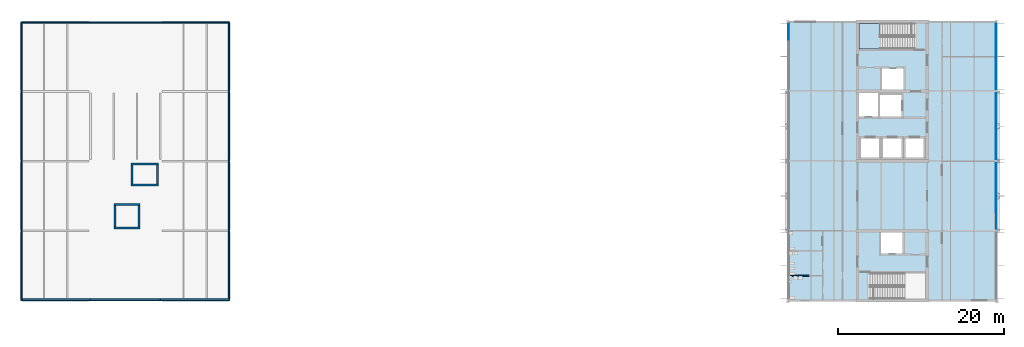
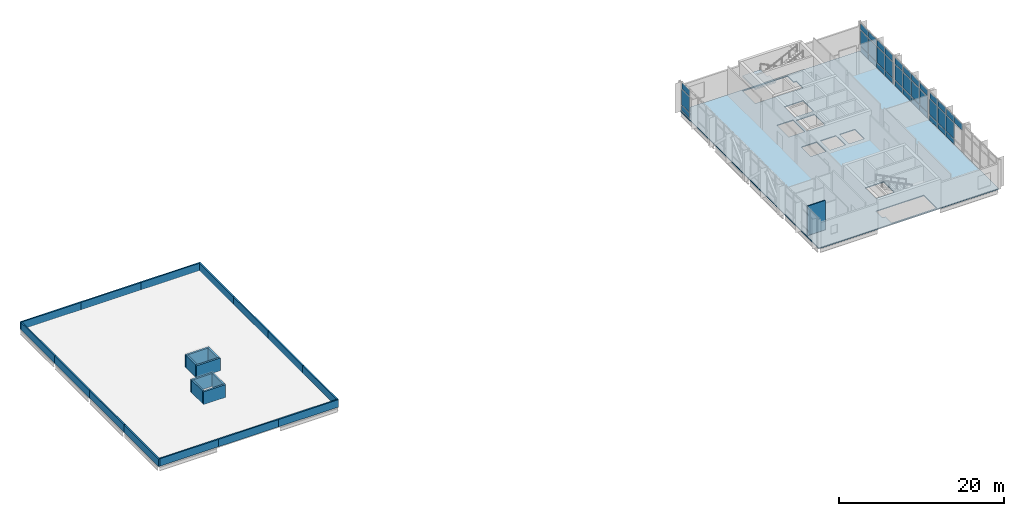
# One storey, part 8 of 14: 37 plates, 23 walls, 2 slabs, 5 elements without a shape of their own.
"""IFC4 building model written with IfcOpenShell, lengths in metres."""

import ifcopenshell
import ifcopenshell.guid

model = None  # the IFC model being written
_history = None  # IfcOwnerHistory: only IFC2X3 demands one
_inside = {}  # id of a spatial element -> (the spatial element, [elements in it])
_under = {}  # id of a project, library or spatial element -> (it, [spatial elements below it])
_declared = {}  # id of a project -> (the project, [libraries it declares])
_typed = {}  # id of a type object -> (the type object, [elements of that type])
_made_of = {}  # id of a material, layer set ... -> (it, [elements and type objects made of it])


def new_model(schema):
    """Start an empty IFC model of exactly this schema.

    Asked for "IFC4X3", IfcOpenShell would pick the latest addendum, in which some entities
    have other attributes; the version numbers below select the first issue.
    IFC2X3 requires an IfcOwnerHistory on every rooted entity: one is made here for all.
    """
    global model, _history
    if schema == "IFC4X3":
        model = ifcopenshell.file(schema_version=(4, 3, 0, 0))
    else:
        model = ifcopenshell.file(schema=schema)
    _inside.clear()
    _under.clear()
    _declared.clear()
    _typed.clear()
    _made_of.clear()
    _history = None
    if model.schema == "IFC2X3":
        org = make("IfcOrganization", Name="unknown")
        user = make(
            "IfcPersonAndOrganization",
            ThePerson=make("IfcPerson", FamilyName="unknown"),
            TheOrganization=org,
        )
        app = make(
            "IfcApplication",
            ApplicationDeveloper=org,
            Version="unknown",
            ApplicationFullName="unknown",
            ApplicationIdentifier="unknown",
        )
        _history = make(
            "IfcOwnerHistory",
            OwningUser=user,
            OwningApplication=app,
            ChangeAction="ADDED",
            CreationDate=0,
        )
    return model


def make(cls, **values):
    """One entity of the class cls with the attributes given. An attribute that is None is left unset."""
    return model.create_entity(
        cls, **{name: value for name, value in values.items() if value is not None}
    )


def rooted(cls, **values):
    """An entity with a GlobalId (a new one), such as an element, a storey or a relation."""
    return make(cls, GlobalId=ifcopenshell.guid.new(), OwnerHistory=_history, **values)


def si_unit(unit_type, name, prefix=None):
    """IfcSIUnit, for example si_unit("LENGTHUNIT", "METRE", prefix="MILLI")."""
    return make("IfcSIUnit", UnitType=unit_type, Prefix=prefix, Name=name)


def assignment(units):
    """IfcUnitAssignment: the units of a project."""
    return None if units is None else make("IfcUnitAssignment", Units=units)


def point(xyz):
    """IfcCartesianPoint."""
    return None if xyz is None else make("IfcCartesianPoint", Coordinates=xyz)


def direction(xyz):
    """IfcDirection."""
    return None if xyz is None else make("IfcDirection", DirectionRatios=xyz)


def frame(location, z_axis=None, x_axis=None):
    """IfcAxis2Placement3D, a coordinate frame: its origin and axes. An axis left out is left unset."""
    return make(
        "IfcAxis2Placement3D",
        Location=point(location),
        Axis=direction(z_axis),
        RefDirection=direction(x_axis),
    )


def frame_2d(location, x_axis=None):
    """IfcAxis2Placement2D, a coordinate frame in the plane: its origin and x axis."""
    return make(
        "IfcAxis2Placement2D", Location=point(location), RefDirection=direction(x_axis)
    )


def origin():
    """The frame at (0, 0, 0) with its axes left unset."""
    return frame((0.0, 0.0, 0.0))


def origin_2d():
    """The frame at (0, 0) in the plane with its x axis left unset."""
    return frame_2d((0.0, 0.0))


def place(relative_to, where):
    """IfcLocalPlacement: puts the frame where relative to a parent placement (None: the world)."""
    return make(
        "IfcLocalPlacement", PlacementRelTo=relative_to, RelativePlacement=where
    )


def context(
    kind, dimensions, precision=None, world=None, true_north=None, identifier=None
):
    """IfcGeometricRepresentationContext, for example the 3D "Model" context."""
    return make(
        "IfcGeometricRepresentationContext",
        ContextIdentifier=identifier,
        ContextType=kind,
        CoordinateSpaceDimension=dimensions,
        Precision=precision,
        WorldCoordinateSystem=world,
        TrueNorth=true_north,
    )


def subcontext(parent, identifier, kind, view, scale=None):
    """IfcGeometricRepresentationSubContext, for example "Body" below "Model"."""
    return make(
        "IfcGeometricRepresentationSubContext",
        ContextIdentifier=identifier,
        ContextType=kind,
        ParentContext=parent,
        TargetScale=scale,
        TargetView=view,
    )


def project(units=None, contexts=None):
    """IfcProject with its units and contexts."""
    return rooted(
        "IfcProject",
        Name="project",
        RepresentationContexts=contexts,
        UnitsInContext=assignment(units),
    )


def spatial(cls, under=None, at=None, **own):
    """A site, building, storey or space (cls), placed at a placement, below another one or the project."""
    s = rooted(cls, ObjectPlacement=at, **own)
    if under is not None:
        _under.setdefault(under.id(), (under, []))[1].append(s)
    return s


def polyline(points):
    """IfcPolyline through the points."""
    return make("IfcPolyline", Points=[point(p) for p in points])


def profile(cls, at=None, kind="AREA", **sizes):
    """A parametric profile (cls). Its sizes go by their IFC names, for example OverallWidth=200.0."""
    return make(cls, ProfileType=kind, Position=at, **sizes)


def rectangle(**sizes):
    """IfcRectangleProfileDef."""
    return profile("IfcRectangleProfileDef", **sizes)


def outline(outer, holes=None, kind="AREA"):
    """IfcArbitraryClosedProfileDef: a profile drawn as a closed curve; with holes, ...WithVoids."""
    if holes is None:
        return make("IfcArbitraryClosedProfileDef", ProfileType=kind, OuterCurve=outer)
    return make(
        "IfcArbitraryProfileDefWithVoids",
        ProfileType=kind,
        OuterCurve=outer,
        InnerCurves=holes,
    )


def extrude(swept, where, along, depth):
    """IfcExtrudedAreaSolid: the profile swept, set in the frame where, extruded along a direction by depth."""
    return make(
        "IfcExtrudedAreaSolid",
        SweptArea=swept,
        Position=where,
        ExtrudedDirection=direction(along),
        Depth=depth,
    )


def shape(context_of_items, identifier, shape_type, items):
    """IfcShapeRepresentation: the items that make up one representation, for example the "Body"."""
    return make(
        "IfcShapeRepresentation",
        ContextOfItems=context_of_items,
        RepresentationIdentifier=identifier,
        RepresentationType=shape_type,
        Items=items,
    )


def material(Name=None, Category=None):
    """IfcMaterial."""
    return make("IfcMaterial", Name=Name, Category=Category)


def layer(
    of_material, thickness, ventilated=None, Name=None, Category=None, Priority=None
):
    """IfcMaterialLayer: one layer of a wall or slab, of a material (None: an air gap)."""
    return make(
        "IfcMaterialLayer",
        Material=of_material,
        LayerThickness=thickness,
        IsVentilated=ventilated,
        Name=Name,
        Category=Category,
        Priority=Priority,
    )


def layer_set(layers, Name=None):
    """IfcMaterialLayerSet."""
    return make("IfcMaterialLayerSet", MaterialLayers=layers, LayerSetName=Name)


def made_of(thing, what):
    """Note that an element or type object is made of a material, layer set ...; save() writes the relation."""
    if what is not None:
        _made_of.setdefault(what.id(), (what, []))[1].append(thing)
    return thing


def type_object(cls, material=None, **own):
    """A type object (cls), such as IfcWallType, which elements share."""
    return made_of(rooted(cls, **own), material)


def element(
    cls,
    number,
    at=None,
    inside=None,
    cuts=None,
    type_object=None,
    material=None,
    context=None,
    identifier="Body",
    shape_type=None,
    held_by="IfcProductDefinitionShape",
    body=None,
    shapes=None,
    **own,
):
    """One element of the class cls, such as IfcWall. Its Tag is "e" and its number.

    at: its placement. inside: the storey or other place that contains it. cuts: it is an
    opening in that element (IfcRelVoidsElement). A single representation is given by context,
    identifier, shape_type and body (its items); several are given by shapes. held_by: the class
    of the entity that holds the representations. save() writes the other relations.
    """
    e = rooted(cls, Tag="e%d" % number, ObjectPlacement=at, **own)
    if body is not None:
        shapes = [shape(context, identifier, shape_type, body)]
    if shapes is not None:
        e.Representation = make(held_by, Representations=shapes)
    if inside is not None:
        _inside.setdefault(inside.id(), (inside, []))[1].append(e)
    if cuts is not None:
        rooted(
            "IfcRelVoidsElement", RelatingBuildingElement=cuts, RelatedOpeningElement=e
        )
    if type_object is not None:
        _typed.setdefault(type_object.id(), (type_object, []))[1].append(e)
    return made_of(e, material)


def aggregate(whole, parts):
    """IfcRelAggregates: a whole, such as a stair, and the parts it consists of."""
    return rooted("IfcRelAggregates", RelatingObject=whole, RelatedObjects=parts)


def save(model, path):
    """Write the relations noted so far, then the file.

    IfcRelAggregates (storeys below a building ...), IfcRelContainedInSpatialStructure (elements
    in a storey), IfcRelDefinesByType, IfcRelAssociatesMaterial and IfcRelDeclares: one each for
    every whole, place, type object, material and project.
    """
    for whole, parts in _under.values():
        aggregate(whole, parts)
    for where, things in _inside.values():
        rooted(
            "IfcRelContainedInSpatialStructure",
            RelatedElements=things,
            RelatingStructure=where,
        )
    for kind, things in _typed.values():
        rooted("IfcRelDefinesByType", RelatedObjects=things, RelatingType=kind)
    for what, things in _made_of.values():
        rooted("IfcRelAssociatesMaterial", RelatedObjects=things, RelatingMaterial=what)
    for by, libraries in _declared.values():
        rooted("IfcRelDeclares", RelatingContext=by, RelatedDefinitions=libraries)
    model.write(path)


model = new_model("IFC4")

# Units and contexts
model_context = context("Model", 3, precision=1e-05, world=origin(), true_north=direction((0.0, 1.0)))
body_context = subcontext(model_context, "Body", "Model", "MODEL_VIEW")
ifc_project = project(units=[si_unit("LENGTHUNIT", "METRE"), si_unit("AREAUNIT", "SQUARE_METRE"), si_unit("VOLUMEUNIT", "CUBIC_METRE"), si_unit("PLANEANGLEUNIT", "RADIAN"), si_unit("MASSUNIT", "GRAM", prefix="KILO")], contexts=[model_context])

# Site, building, storey
site_placement = place(None, origin())
site = spatial("IfcSite", under=ifc_project, at=site_placement, CompositionType="ELEMENT")
building_placement = place(site_placement, origin())
building = spatial("IfcBuilding", under=site, at=building_placement, Name="Hlaing Beacon Police Headquarters", CompositionType="ELEMENT")
storey_placement = place(building_placement, frame((0.0, 0.0, 27.89990234375)))
storey = spatial("IfcBuildingStorey", under=building, at=storey_placement, Name="L06", CompositionType="ELEMENT", Elevation=27.89990234375)

# Curtain wall, plates
ifc_material_1 = material(Name="Aluminium frame with solar control glazing", Category="aluminium")
curtain_wall_type = type_object("IfcCurtainWallType", Name="Unitised curtain wall 8.04 x 4.37", PredefinedType="NOTDEFINED", material=ifc_material_1)
curtain_wall_1_placement = place(storey_placement, origin())
curtain_wall_1 = element("IfcCurtainWall", 1, at=curtain_wall_1_placement, inside=storey, type_object=curtain_wall_type, Name="ENV-CW-L06-E002", PredefinedType="NOTDEFINED")
ifc_material_2 = material(Name="Solar control glazing", Category="glass")
ifc_layer_1 = layer(ifc_material_2, 0.0439453125)
ifc_layer_set_1 = layer_set([ifc_layer_1], Name="Solar control glazing")
plate_type_1 = type_object("IfcPlateType", Name="Clear glazing panel 44", PredefinedType="CURTAIN_PANEL", material=ifc_layer_set_1)
plate_1_placement = place(storey_placement, frame((125.909912109375, 45.1953125, 0.9501953125), z_axis=(0.0, 0.0, 1.0), x_axis=(0.0, 1.0, 0.0)))
plate_1 = element("IfcPlate", 2, at=plate_1_placement, type_object=plate_type_1, Name="CW-L06-E002 panel 2.2", PredefinedType="CURTAIN_PANEL", context=body_context, shape_type="SweptSolid", body=[
    extrude(rectangle(XDim=1.94921875, YDim=0.0439453125, at=origin_2d()), origin(), (0.0, 0.0, 1.0), 2.300048828125),
])
plate_2_placement = place(storey_placement, frame((125.909912109375, 49.19873046875, 0.9501953125), z_axis=(0.0, 0.0, 1.0), x_axis=(0.0, 1.0, 0.0)))
plate_2 = element("IfcPlate", 3, at=plate_2_placement, type_object=plate_type_1, Name="CW-L06-E002 panel 4.2", PredefinedType="CURTAIN_PANEL", context=body_context, shape_type="SweptSolid", body=[
    extrude(rectangle(XDim=1.919189453125, YDim=0.0439453125, at=origin_2d()), origin(), (0.0, 0.0, 1.0), 2.300048828125),
])

curtain_wall_2_placement = place(storey_placement, origin())
curtain_wall_2 = element("IfcCurtainWall", 4, at=curtain_wall_2_placement, inside=storey, type_object=curtain_wall_type, Name="ENV-CW-L06-E003", PredefinedType="NOTDEFINED")
plate_3_placement = place(storey_placement, frame((125.909912109375, 53.595458984375, 0.9501953125), z_axis=(0.0, 0.0, 1.0), x_axis=(0.0, 1.0, 0.0)))
plate_3 = element("IfcPlate", 5, at=plate_3_placement, type_object=plate_type_1, Name="CW-L06-E003 panel 2.2", PredefinedType="CURTAIN_PANEL", context=body_context, shape_type="SweptSolid", body=[
    extrude(rectangle(XDim=1.94921875, YDim=0.0439453125, at=origin_2d()), origin(), (0.0, 0.0, 1.0), 2.300048828125),
])
plate_4_placement = place(storey_placement, frame((125.909912109375, 57.598876953125, 0.9501953125), z_axis=(0.0, 0.0, 1.0), x_axis=(0.0, 1.0, 0.0)))
plate_4 = element("IfcPlate", 6, at=plate_4_placement, type_object=plate_type_1, Name="CW-L06-E003 panel 4.2", PredefinedType="CURTAIN_PANEL", context=body_context, shape_type="SweptSolid", body=[
    extrude(rectangle(XDim=1.919189453125, YDim=0.0439453125, at=origin_2d()), origin(), (0.0, 0.0, 1.0), 2.300048828125),
])

curtain_wall_3_placement = place(storey_placement, origin())
curtain_wall_3 = element("IfcCurtainWall", 7, at=curtain_wall_3_placement, inside=storey, type_object=curtain_wall_type, Name="ENV-CW-L06-E004", PredefinedType="NOTDEFINED")
plate_5_placement = place(storey_placement, frame((125.89990234375, 61.996826171875, 0.9501953125), z_axis=(0.0, 0.0, 1.0), x_axis=(0.0, 1.0, 0.0)))
plate_5 = element("IfcPlate", 8, at=plate_5_placement, type_object=plate_type_1, Name="CW-L06-E004 panel 2.2", PredefinedType="CURTAIN_PANEL", context=body_context, shape_type="SweptSolid", body=[
    extrude(rectangle(XDim=1.9501953125, YDim=0.0439453125, at=origin_2d()), origin(), (0.0, 0.0, 1.0), 2.300048828125),
])
plate_6_placement = place(storey_placement, frame((125.89990234375, 66.002197265625, 0.9501953125), z_axis=(0.0, 0.0, 1.0), x_axis=(0.0, 1.0, 0.0)))
plate_6 = element("IfcPlate", 9, at=plate_6_placement, type_object=plate_type_1, Name="CW-L06-E004 panel 4.2", PredefinedType="CURTAIN_PANEL", context=body_context, shape_type="SweptSolid", body=[
    extrude(rectangle(XDim=1.920166015625, YDim=0.0439453125, at=origin_2d()), origin(), (0.0, 0.0, 1.0), 2.300048828125),
])

# Slab
ifc_material_3 = material(Name="Concrete C40/50", Category="concrete")
ifc_layer_2 = layer(ifc_material_3, 0.1298828125)
ifc_layer_set_2 = layer_set([ifc_layer_2], Name="Concrete C40/50")
slab_type_1 = type_object("IfcSlabType", Name="Composite deck slab 130", PredefinedType="FLOOR", material=ifc_layer_set_2)
slab_1_placement = place(storey_placement, frame((0.0, 0.0, -0.1298828125)))
element("IfcSlab", 10, at=slab_1_placement, inside=storey, type_object=slab_type_1, Name="STR-SLAB-L06-01", PredefinedType="FLOOR", context=body_context, shape_type="SweptSolid", body=[
    extrude(outline(polyline([(100.800048828125, 33.60009765625), (126.0, 33.60009765625), (126.0, 67.199951171875), (100.800048828125, 67.199951171875), (100.800048828125, 33.60009765625)]), holes=[polyline([(109.39990234375, 55.75), (111.64990234375, 55.75), (111.64990234375, 58.60009765625), (109.39990234375, 58.60009765625), (109.39990234375, 55.75)]), polyline([(109.39990234375, 63.89990234375), (116.090087890625, 63.89990234375), (116.090087890625, 65.5), (115.699951171875, 65.5), (115.699951171875, 67.0), (109.39990234375, 67.0), (109.39990234375, 63.89990234375)]), polyline([(109.64990234375, 50.85009765625), (111.800048828125, 50.85009765625), (111.800048828125, 53.14990234375), (109.64990234375, 53.14990234375), (109.64990234375, 50.85009765625)]), polyline([(111.10009765625, 33.800048828125), (117.39990234375, 33.800048828125), (117.39990234375, 36.89990234375), (110.7099609375, 36.89990234375), (110.7099609375, 35.300048828125), (111.10009765625, 35.300048828125), (111.10009765625, 33.800048828125)]), polyline([(111.89990234375, 55.75), (114.5, 55.75), (114.5, 58.35009765625), (111.89990234375, 58.35009765625), (111.89990234375, 55.75)]), polyline([(112.050048828125, 39.25), (114.64990234375, 39.25), (114.64990234375, 41.800048828125), (112.050048828125, 41.800048828125), (112.050048828125, 39.25)]), polyline([(112.14990234375, 59.0), (114.75, 59.0), (114.75, 61.550048828125), (112.14990234375, 61.550048828125), (112.14990234375, 59.0)]), polyline([(112.300048828125, 50.85009765625), (114.5, 50.85009765625), (114.5, 53.14990234375), (112.300048828125, 53.14990234375), (112.300048828125, 50.85009765625)]), polyline([(115.0, 50.85009765625), (117.14990234375, 50.85009765625), (117.14990234375, 53.14990234375), (115.0, 53.14990234375), (115.0, 50.85009765625)])]), origin(), (0.0, 0.0, 1.0), 0.1298828125),
])

# Plate
ifc_material_4 = material(Name="Fritted solar control glazing", Category="glass")
ifc_layer_3 = layer(ifc_material_4, 0.0439453125)
ifc_layer_set_3 = layer_set([ifc_layer_3], Name="Fritted solar control glazing")
plate_type_2 = type_object("IfcPlateType", Name="Fritted glazing panel 44", PredefinedType="CURTAIN_PANEL", material=ifc_layer_set_3)
plate_7_placement = place(storey_placement, frame((125.909912109375, 47.20458984375, 0.9501953125), z_axis=(0.0, 0.0, 1.0), x_axis=(0.0, 1.0, 0.0)))
plate_7 = element("IfcPlate", 11, at=plate_7_placement, type_object=plate_type_2, Name="CW-L06-E002 panel 3.2", PredefinedType="CURTAIN_PANEL", context=body_context, shape_type="SweptSolid", body=[
    extrude(rectangle(XDim=1.94921875, YDim=0.0439453125, at=origin_2d()), origin(), (0.0, 0.0, 1.0), 2.300048828125),
])

plate_8_placement = place(storey_placement, frame((125.909912109375, 51.601318359375, 0.9501953125), z_axis=(0.0, 0.0, 1.0), x_axis=(0.0, 1.0, 0.0)))
plate_8 = element("IfcPlate", 12, at=plate_8_placement, type_object=plate_type_2, Name="CW-L06-E003 panel 1.2", PredefinedType="CURTAIN_PANEL", context=body_context, shape_type="SweptSolid", body=[
    extrude(rectangle(XDim=1.919189453125, YDim=0.0439453125, at=origin_2d()), origin(), (0.0, 0.0, 1.0), 2.300048828125),
])

plate_9_placement = place(storey_placement, frame((125.909912109375, 55.6044921875, 0.9501953125), z_axis=(0.0, 0.0, 1.0), x_axis=(0.0, 1.0, 0.0)))
plate_9 = element("IfcPlate", 13, at=plate_9_placement, type_object=plate_type_2, Name="CW-L06-E003 panel 3.2", PredefinedType="CURTAIN_PANEL", context=body_context, shape_type="SweptSolid", body=[
    extrude(rectangle(XDim=1.94921875, YDim=0.0439453125, at=origin_2d()), origin(), (0.0, 0.0, 1.0), 2.300048828125),
])

plate_10_placement = place(storey_placement, frame((125.89990234375, 60.001708984375, 0.9501953125), z_axis=(0.0, 0.0, 1.0), x_axis=(0.0, 1.0, 0.0)))
plate_10 = element("IfcPlate", 14, at=plate_10_placement, type_object=plate_type_2, Name="CW-L06-E004 panel 1.2", PredefinedType="CURTAIN_PANEL", context=body_context, shape_type="SweptSolid", body=[
    extrude(rectangle(XDim=1.920166015625, YDim=0.0439453125, at=origin_2d()), origin(), (0.0, 0.0, 1.0), 2.300048828125),
])

plate_11_placement = place(storey_placement, frame((125.89990234375, 64.007080078125, 0.9501953125), z_axis=(0.0, 0.0, 1.0), x_axis=(0.0, 1.0, 0.0)))
plate_11 = element("IfcPlate", 15, at=plate_11_placement, type_object=plate_type_2, Name="CW-L06-E004 panel 3.2", PredefinedType="CURTAIN_PANEL", context=body_context, shape_type="SweptSolid", body=[
    extrude(rectangle(XDim=1.9501953125, YDim=0.0439453125, at=origin_2d()), origin(), (0.0, 0.0, 1.0), 2.300048828125),
])

# Curtain wall, plate
curtain_wall_4_placement = place(storey_placement, origin())
curtain_wall_4 = element("IfcCurtainWall", 16, at=curtain_wall_4_placement, inside=storey, type_object=curtain_wall_type, Name="ENV-CW-L06-W005", PredefinedType="NOTDEFINED")
plate_12_placement = place(storey_placement, frame((100.89990234375, 66.002197265625, 0.9501953125), z_axis=(0.0, 0.0, 1.0), x_axis=(0.0, -1.0, 0.0)))
plate_12 = element("IfcPlate", 17, at=plate_12_placement, type_object=plate_type_2, Name="CW-L06-W005 panel 1.2", PredefinedType="CURTAIN_PANEL", context=body_context, shape_type="SweptSolid", body=[
    extrude(rectangle(XDim=1.920166015625, YDim=0.0439453125, at=origin_2d()), origin(), (0.0, 0.0, 1.0), 2.300048828125),
])

# Plate
ifc_material_5 = material(Name="Insulated aluminium spandrel", Category="aluminium")
ifc_layer_4 = layer(ifc_material_5, 0.06005859375)
ifc_layer_set_4 = layer_set([ifc_layer_4], Name="Insulated aluminium spandrel")
plate_type_3 = type_object("IfcPlateType", Name="Insulated spandrel panel 60", PredefinedType="CURTAIN_PANEL", material=ifc_layer_set_4)
plate_13_placement = place(storey_placement, frame((125.909912109375, 45.1953125, 0.10009765625), z_axis=(0.0, 0.0, 1.0), x_axis=(0.0, 1.0, 0.0)))
plate_13 = element("IfcPlate", 18, at=plate_13_placement, type_object=plate_type_3, Name="CW-L06-E002 panel 2.1", PredefinedType="CURTAIN_PANEL", context=body_context, shape_type="SweptSolid", body=[
    extrude(rectangle(XDim=1.94921875, YDim=0.06005859375, at=origin_2d()), origin(), (0.0, 0.0, 1.0), 0.75),
])

plate_14_placement = place(storey_placement, frame((125.909912109375, 47.20458984375, 0.10009765625), z_axis=(0.0, 0.0, 1.0), x_axis=(0.0, 1.0, 0.0)))
plate_14 = element("IfcPlate", 19, at=plate_14_placement, type_object=plate_type_3, Name="CW-L06-E002 panel 3.1", PredefinedType="CURTAIN_PANEL", context=body_context, shape_type="SweptSolid", body=[
    extrude(rectangle(XDim=1.94921875, YDim=0.06005859375, at=origin_2d()), origin(), (0.0, 0.0, 1.0), 0.75),
])

plate_15_placement = place(storey_placement, frame((125.909912109375, 49.19873046875, 0.10009765625), z_axis=(0.0, 0.0, 1.0), x_axis=(0.0, 1.0, 0.0)))
plate_15 = element("IfcPlate", 20, at=plate_15_placement, type_object=plate_type_3, Name="CW-L06-E002 panel 4.1", PredefinedType="CURTAIN_PANEL", context=body_context, shape_type="SweptSolid", body=[
    extrude(rectangle(XDim=1.919189453125, YDim=0.06005859375, at=origin_2d()), origin(), (0.0, 0.0, 1.0), 0.75),
])

plate_16_placement = place(storey_placement, frame((125.909912109375, 51.601318359375, 0.10009765625), z_axis=(0.0, 0.0, 1.0), x_axis=(0.0, 1.0, 0.0)))
plate_16 = element("IfcPlate", 21, at=plate_16_placement, type_object=plate_type_3, Name="CW-L06-E003 panel 1.1", PredefinedType="CURTAIN_PANEL", context=body_context, shape_type="SweptSolid", body=[
    extrude(rectangle(XDim=1.919189453125, YDim=0.06005859375, at=origin_2d()), origin(), (0.0, 0.0, 1.0), 0.75),
])

plate_17_placement = place(storey_placement, frame((125.909912109375, 53.595458984375, 0.10009765625), z_axis=(0.0, 0.0, 1.0), x_axis=(0.0, 1.0, 0.0)))
plate_17 = element("IfcPlate", 22, at=plate_17_placement, type_object=plate_type_3, Name="CW-L06-E003 panel 2.1", PredefinedType="CURTAIN_PANEL", context=body_context, shape_type="SweptSolid", body=[
    extrude(rectangle(XDim=1.94921875, YDim=0.06005859375, at=origin_2d()), origin(), (0.0, 0.0, 1.0), 0.75),
])

plate_18_placement = place(storey_placement, frame((125.909912109375, 55.6044921875, 0.10009765625), z_axis=(0.0, 0.0, 1.0), x_axis=(0.0, 1.0, 0.0)))
plate_18 = element("IfcPlate", 23, at=plate_18_placement, type_object=plate_type_3, Name="CW-L06-E003 panel 3.1", PredefinedType="CURTAIN_PANEL", context=body_context, shape_type="SweptSolid", body=[
    extrude(rectangle(XDim=1.94921875, YDim=0.06005859375, at=origin_2d()), origin(), (0.0, 0.0, 1.0), 0.75),
])

plate_19_placement = place(storey_placement, frame((125.909912109375, 57.598876953125, 0.10009765625), z_axis=(0.0, 0.0, 1.0), x_axis=(0.0, 1.0, 0.0)))
plate_19 = element("IfcPlate", 24, at=plate_19_placement, type_object=plate_type_3, Name="CW-L06-E003 panel 4.1", PredefinedType="CURTAIN_PANEL", context=body_context, shape_type="SweptSolid", body=[
    extrude(rectangle(XDim=1.919189453125, YDim=0.06005859375, at=origin_2d()), origin(), (0.0, 0.0, 1.0), 0.75),
])

plate_20_placement = place(storey_placement, frame((125.89990234375, 60.001708984375, 0.10009765625), z_axis=(0.0, 0.0, 1.0), x_axis=(0.0, 1.0, 0.0)))
plate_20 = element("IfcPlate", 25, at=plate_20_placement, type_object=plate_type_3, Name="CW-L06-E004 panel 1.1", PredefinedType="CURTAIN_PANEL", context=body_context, shape_type="SweptSolid", body=[
    extrude(rectangle(XDim=1.920166015625, YDim=0.06005859375, at=origin_2d()), origin(), (0.0, 0.0, 1.0), 0.75),
])

plate_21_placement = place(storey_placement, frame((125.89990234375, 61.996826171875, 0.10009765625), z_axis=(0.0, 0.0, 1.0), x_axis=(0.0, 1.0, 0.0)))
plate_21 = element("IfcPlate", 26, at=plate_21_placement, type_object=plate_type_3, Name="CW-L06-E004 panel 2.1", PredefinedType="CURTAIN_PANEL", context=body_context, shape_type="SweptSolid", body=[
    extrude(rectangle(XDim=1.9501953125, YDim=0.06005859375, at=origin_2d()), origin(), (0.0, 0.0, 1.0), 0.75),
])

plate_22_placement = place(storey_placement, frame((125.89990234375, 64.007080078125, 0.10009765625), z_axis=(0.0, 0.0, 1.0), x_axis=(0.0, 1.0, 0.0)))
plate_22 = element("IfcPlate", 27, at=plate_22_placement, type_object=plate_type_3, Name="CW-L06-E004 panel 3.1", PredefinedType="CURTAIN_PANEL", context=body_context, shape_type="SweptSolid", body=[
    extrude(rectangle(XDim=1.9501953125, YDim=0.06005859375, at=origin_2d()), origin(), (0.0, 0.0, 1.0), 0.75),
])

plate_23_placement = place(storey_placement, frame((125.89990234375, 66.002197265625, 0.10009765625), z_axis=(0.0, 0.0, 1.0), x_axis=(0.0, 1.0, 0.0)))
plate_23 = element("IfcPlate", 28, at=plate_23_placement, type_object=plate_type_3, Name="CW-L06-E004 panel 4.1", PredefinedType="CURTAIN_PANEL", context=body_context, shape_type="SweptSolid", body=[
    extrude(rectangle(XDim=1.920166015625, YDim=0.06005859375, at=origin_2d()), origin(), (0.0, 0.0, 1.0), 0.75),
])

ifc_material_6 = material(Name="Insulated aluminium spandrel", Category="aluminium")
ifc_layer_5 = layer(ifc_material_6, 0.080078125)
ifc_layer_set_5 = layer_set([ifc_layer_5], Name="Insulated aluminium spandrel")
plate_type_4 = type_object("IfcPlateType", Name="Insulated spandrel panel 80", PredefinedType="CURTAIN_PANEL", material=ifc_layer_set_5)
plate_24_placement = place(storey_placement, frame((100.89990234375, 66.002197265625, 0.10009765625), z_axis=(0.0, 0.0, 1.0), x_axis=(0.0, -1.0, 0.0)))
plate_24 = element("IfcPlate", 29, at=plate_24_placement, type_object=plate_type_4, Name="CW-L06-W005 panel 1.1", PredefinedType="CURTAIN_PANEL", context=body_context, shape_type="SweptSolid", body=[
    extrude(rectangle(XDim=1.920166015625, YDim=0.080078125, at=origin_2d()), origin(), (0.0, 0.0, 1.0), 0.75),
])

ifc_material_7 = material(Name="Perforated aluminium", Category="aluminium")
ifc_layer_6 = layer(ifc_material_7, 0.00390625)
ifc_layer_set_6 = layer_set([ifc_layer_6], Name="Perforated aluminium")
plate_type_5 = type_object("IfcPlateType", Name="Perforated aluminium vent panel 4", PredefinedType="CURTAIN_PANEL", material=ifc_layer_set_6)
plate_25_placement = place(storey_placement, frame((125.909912109375, 43.201171875, 3.35009765625), z_axis=(0.0, 0.0, 1.0), x_axis=(0.0, 1.0, 0.0)))
plate_25 = element("IfcPlate", 30, at=plate_25_placement, type_object=plate_type_5, Name="CW-L06-E002 panel 1.3", PredefinedType="CURTAIN_PANEL", context=body_context, shape_type="SweptSolid", body=[
    extrude(rectangle(XDim=1.919189453125, YDim=0.00390625, at=origin_2d()), origin(), (0.0, 0.0, 1.0), 0.919921875),
])

plate_26_placement = place(storey_placement, frame((125.909912109375, 45.1953125, 3.35009765625), z_axis=(0.0, 0.0, 1.0), x_axis=(0.0, 1.0, 0.0)))
plate_26 = element("IfcPlate", 31, at=plate_26_placement, type_object=plate_type_5, Name="CW-L06-E002 panel 2.3", PredefinedType="CURTAIN_PANEL", context=body_context, shape_type="SweptSolid", body=[
    extrude(rectangle(XDim=1.94921875, YDim=0.00390625, at=origin_2d()), origin(), (0.0, 0.0, 1.0), 0.919921875),
])

plate_27_placement = place(storey_placement, frame((125.909912109375, 47.20458984375, 3.35009765625), z_axis=(0.0, 0.0, 1.0), x_axis=(0.0, 1.0, 0.0)))
plate_27 = element("IfcPlate", 32, at=plate_27_placement, type_object=plate_type_5, Name="CW-L06-E002 panel 3.3", PredefinedType="CURTAIN_PANEL", context=body_context, shape_type="SweptSolid", body=[
    extrude(rectangle(XDim=1.94921875, YDim=0.00390625, at=origin_2d()), origin(), (0.0, 0.0, 1.0), 0.919921875),
])

plate_28_placement = place(storey_placement, frame((125.909912109375, 49.19873046875, 3.35009765625), z_axis=(0.0, 0.0, 1.0), x_axis=(0.0, 1.0, 0.0)))
plate_28 = element("IfcPlate", 33, at=plate_28_placement, type_object=plate_type_5, Name="CW-L06-E002 panel 4.3", PredefinedType="CURTAIN_PANEL", context=body_context, shape_type="SweptSolid", body=[
    extrude(rectangle(XDim=1.919189453125, YDim=0.00390625, at=origin_2d()), origin(), (0.0, 0.0, 1.0), 0.919921875),
])

aggregate(curtain_wall_1, [plate_25, plate_13, plate_1, plate_26, plate_14, plate_7, plate_27, plate_15, plate_2, plate_28])

plate_29_placement = place(storey_placement, frame((125.909912109375, 51.601318359375, 3.35009765625), z_axis=(0.0, 0.0, 1.0), x_axis=(0.0, 1.0, 0.0)))
plate_29 = element("IfcPlate", 34, at=plate_29_placement, type_object=plate_type_5, Name="CW-L06-E003 panel 1.3", PredefinedType="CURTAIN_PANEL", context=body_context, shape_type="SweptSolid", body=[
    extrude(rectangle(XDim=1.919189453125, YDim=0.00390625, at=origin_2d()), origin(), (0.0, 0.0, 1.0), 0.919921875),
])

plate_30_placement = place(storey_placement, frame((125.909912109375, 53.595458984375, 3.35009765625), z_axis=(0.0, 0.0, 1.0), x_axis=(0.0, 1.0, 0.0)))
plate_30 = element("IfcPlate", 35, at=plate_30_placement, type_object=plate_type_5, Name="CW-L06-E003 panel 2.3", PredefinedType="CURTAIN_PANEL", context=body_context, shape_type="SweptSolid", body=[
    extrude(rectangle(XDim=1.94921875, YDim=0.00390625, at=origin_2d()), origin(), (0.0, 0.0, 1.0), 0.919921875),
])

plate_31_placement = place(storey_placement, frame((125.909912109375, 55.6044921875, 3.35009765625), z_axis=(0.0, 0.0, 1.0), x_axis=(0.0, 1.0, 0.0)))
plate_31 = element("IfcPlate", 36, at=plate_31_placement, type_object=plate_type_5, Name="CW-L06-E003 panel 3.3", PredefinedType="CURTAIN_PANEL", context=body_context, shape_type="SweptSolid", body=[
    extrude(rectangle(XDim=1.94921875, YDim=0.00390625, at=origin_2d()), origin(), (0.0, 0.0, 1.0), 0.919921875),
])

plate_32_placement = place(storey_placement, frame((125.909912109375, 57.598876953125, 3.35009765625), z_axis=(0.0, 0.0, 1.0), x_axis=(0.0, 1.0, 0.0)))
plate_32 = element("IfcPlate", 37, at=plate_32_placement, type_object=plate_type_5, Name="CW-L06-E003 panel 4.3", PredefinedType="CURTAIN_PANEL", context=body_context, shape_type="SweptSolid", body=[
    extrude(rectangle(XDim=1.919189453125, YDim=0.00390625, at=origin_2d()), origin(), (0.0, 0.0, 1.0), 0.919921875),
])

aggregate(curtain_wall_2, [plate_16, plate_8, plate_29, plate_17, plate_3, plate_30, plate_18, plate_9, plate_31, plate_19, plate_4, plate_32])

plate_33_placement = place(storey_placement, frame((125.89990234375, 60.001708984375, 3.35009765625), z_axis=(0.0, 0.0, 1.0), x_axis=(0.0, 1.0, 0.0)))
plate_33 = element("IfcPlate", 38, at=plate_33_placement, type_object=plate_type_5, Name="CW-L06-E004 panel 1.3", PredefinedType="CURTAIN_PANEL", context=body_context, shape_type="SweptSolid", body=[
    extrude(rectangle(XDim=1.920166015625, YDim=0.00390625, at=origin_2d()), origin(), (0.0, 0.0, 1.0), 0.919921875),
])

plate_34_placement = place(storey_placement, frame((125.89990234375, 61.996826171875, 3.35009765625), z_axis=(0.0, 0.0, 1.0), x_axis=(0.0, 1.0, 0.0)))
plate_34 = element("IfcPlate", 39, at=plate_34_placement, type_object=plate_type_5, Name="CW-L06-E004 panel 2.3", PredefinedType="CURTAIN_PANEL", context=body_context, shape_type="SweptSolid", body=[
    extrude(rectangle(XDim=1.9501953125, YDim=0.00390625, at=origin_2d()), origin(), (0.0, 0.0, 1.0), 0.919921875),
])

plate_35_placement = place(storey_placement, frame((125.89990234375, 64.007080078125, 3.35009765625), z_axis=(0.0, 0.0, 1.0), x_axis=(0.0, 1.0, 0.0)))
plate_35 = element("IfcPlate", 40, at=plate_35_placement, type_object=plate_type_5, Name="CW-L06-E004 panel 3.3", PredefinedType="CURTAIN_PANEL", context=body_context, shape_type="SweptSolid", body=[
    extrude(rectangle(XDim=1.9501953125, YDim=0.00390625, at=origin_2d()), origin(), (0.0, 0.0, 1.0), 0.919921875),
])

plate_36_placement = place(storey_placement, frame((125.89990234375, 66.002197265625, 3.35009765625), z_axis=(0.0, 0.0, 1.0), x_axis=(0.0, 1.0, 0.0)))
plate_36 = element("IfcPlate", 41, at=plate_36_placement, type_object=plate_type_5, Name="CW-L06-E004 panel 4.3", PredefinedType="CURTAIN_PANEL", context=body_context, shape_type="SweptSolid", body=[
    extrude(rectangle(XDim=1.920166015625, YDim=0.00390625, at=origin_2d()), origin(), (0.0, 0.0, 1.0), 0.919921875),
])

aggregate(curtain_wall_3, [plate_20, plate_10, plate_33, plate_21, plate_5, plate_34, plate_22, plate_11, plate_35, plate_23, plate_6, plate_36])

plate_37_placement = place(storey_placement, frame((100.89990234375, 66.002197265625, 3.35009765625), z_axis=(0.0, 0.0, 1.0), x_axis=(0.0, -1.0, 0.0)))
plate_37 = element("IfcPlate", 42, at=plate_37_placement, type_object=plate_type_5, Name="CW-L06-W005 panel 1.3", PredefinedType="CURTAIN_PANEL", context=body_context, shape_type="SweptSolid", body=[
    extrude(rectangle(XDim=1.920166015625, YDim=0.00390625, at=origin_2d()), origin(), (0.0, 0.0, 1.0), 0.919921875),
])

aggregate(curtain_wall_4, [plate_24, plate_12, plate_37])

# Stair, slab
ifc_material_8 = material(Name="Concrete C40/50", Category="concrete")
stair_type = type_object("IfcStairType", Name="Half-turn stair 1500 wide, 4500 rise", PredefinedType="HALF_TURN_STAIR", material=ifc_material_8)
stair_placement = place(storey_placement, origin())
stair = element("IfcStair", 43, at=stair_placement, inside=storey, type_object=stair_type, Name="Stair ST-M", PredefinedType="HALF_TURN_STAIR")
ifc_material_9 = material(Name="Concrete C40/50", Category="concrete")
ifc_layer_7 = layer(ifc_material_9, 0.219970703125)
ifc_layer_set_7 = layer_set([ifc_layer_7], Name="Concrete C40/50")
slab_type_2 = type_object("IfcSlabType", Name="Stair landing 220", PredefinedType="LANDING", material=ifc_layer_set_7)
slab_2_placement = place(storey_placement, frame((0.0, 0.0, 2.030029296875)))
slab_2 = element("IfcSlab", 44, at=slab_2_placement, type_object=slab_type_2, Name="ST-M landing 1", PredefinedType="LANDING", context=body_context, shape_type="SweptSolid", body=[
    extrude(outline(polyline([(111.909912109375, 67.0), (109.39990234375, 67.0), (109.39990234375, 63.89990234375), (112.300048828125, 63.89990234375), (112.300048828125, 65.39990234375), (111.909912109375, 65.39990234375), (111.909912109375, 67.0)])), origin(), (0.0, 0.0, 1.0), 0.219970703125),
])
aggregate(stair, [slab_2])

# Walls
ifc_material_10 = material(Name="Gypsum board partition")
ifc_layer_8 = layer(ifc_material_10, 0.125)
ifc_layer_set_8 = layer_set([ifc_layer_8], Name="Gypsum board partition")
wall_type_1 = type_object("IfcWallType", Name="Partition 125", PredefinedType="PARTITIONING", material=ifc_layer_set_8)
wall_1_placement = place(storey_placement, frame((100.949951171875, 36.60009765625, 0.0), z_axis=(0.0, 0.0, 1.0), x_axis=(1.0, 0.0, 0.0)))
element("IfcWall", 45, at=wall_1_placement, inside=storey, type_object=wall_type_1, Name="Partition 125", PredefinedType="PARTITIONING", context=body_context, shape_type="SweptSolid", body=[
    extrude(rectangle(XDim=2.45703125, YDim=0.125, at=frame_2d((1.228515625, 0.0))), origin(), (0.0, 0.0, 1.0), 4.3701171875),
])
ifc_material_11 = material(Name="Concrete C40/50", Category="concrete")
ifc_layer_9 = layer(ifc_material_11, 0.199951171875)
ifc_layer_set_9 = layer_set([ifc_layer_9], Name="Concrete C40/50")
wall_type_2 = type_object("IfcWallType", Name="Roof parapet 200", PredefinedType="PARAPET", material=ifc_layer_set_9)
wall_2_placement = place(storey_placement, frame((33.5, 33.800048828125, 0.0), z_axis=(0.0, 0.0, 1.0), x_axis=(0.0, 1.0, 0.0)))
element("IfcWall", 46, at=wall_2_placement, inside=storey, type_object=wall_type_2, Name="Roof parapet V6 0", PredefinedType="PARAPET", context=body_context, shape_type="SweptSolid", body=[
    extrude(rectangle(XDim=8.199951171875, YDim=0.199951171875, at=frame_2d((4.10009765625, 0.0))), origin(), (0.0, 0.0, 1.0), 1.10009765625),
])
wall_3_placement = place(storey_placement, frame((33.5, 42.0, 0.0), z_axis=(0.0, 0.0, 1.0), x_axis=(0.0, 1.0, 0.0)))
element("IfcWall", 47, at=wall_3_placement, inside=storey, type_object=wall_type_2, Name="Roof parapet V6 1", PredefinedType="PARAPET", context=body_context, shape_type="SweptSolid", body=[
    extrude(rectangle(XDim=8.39990234375, YDim=0.199951171875, at=frame_2d((4.199951171875, 0.0))), origin(), (0.0, 0.0, 1.0), 1.10009765625),
])
wall_4_placement = place(storey_placement, frame((33.5, 50.39990234375, 0.0), z_axis=(0.0, 0.0, 1.0), x_axis=(0.0, 1.0, 0.0)))
element("IfcWall", 48, at=wall_4_placement, inside=storey, type_object=wall_type_2, Name="Roof parapet V6 2", PredefinedType="PARAPET", context=body_context, shape_type="SweptSolid", body=[
    extrude(rectangle(XDim=8.400146484375, YDim=0.199951171875, at=frame_2d((4.2001953125, 0.0))), origin(), (0.0, 0.0, 1.0), 1.10009765625),
])
wall_5_placement = place(storey_placement, frame((33.5, 58.800048828125, 0.0), z_axis=(0.0, 0.0, 1.0), x_axis=(0.0, 1.0, 0.0)))
element("IfcWall", 49, at=wall_5_placement, inside=storey, type_object=wall_type_2, Name="Roof parapet V6 3", PredefinedType="PARAPET", context=body_context, shape_type="SweptSolid", body=[
    extrude(rectangle(XDim=8.39990234375, YDim=0.199951171875, at=frame_2d((4.199951171875, 0.0))), origin(), (0.0, 0.0, 1.0), 1.10009765625),
])
wall_6_placement = place(storey_placement, frame((33.39990234375, 67.10009765625, 0.0), z_axis=(0.0, 0.0, 1.0), x_axis=(-1.0, 0.0, 0.0)))
element("IfcWall", 50, at=wall_6_placement, inside=storey, type_object=wall_type_2, Name="Roof parapet V6 4", PredefinedType="PARAPET", context=body_context, shape_type="SweptSolid", body=[
    extrude(rectangle(XDim=8.199951171875, YDim=0.199951171875, at=frame_2d((4.10009765625, 0.0))), origin(), (0.0, 0.0, 1.0), 1.10009765625),
])
wall_7_placement = place(storey_placement, frame((25.199951171875, 67.10009765625, 0.0), z_axis=(0.0, 0.0, 1.0), x_axis=(-1.0, 0.0, 0.0)))
element("IfcWall", 51, at=wall_7_placement, inside=storey, type_object=wall_type_2, Name="Roof parapet V6 5", PredefinedType="PARAPET", context=body_context, shape_type="SweptSolid", body=[
    extrude(rectangle(XDim=8.39990234375, YDim=0.199951171875, at=frame_2d((4.199951171875, 0.0))), origin(), (0.0, 0.0, 1.0), 1.10009765625),
])
wall_8_placement = place(storey_placement, frame((16.800048828125, 67.10009765625, 0.0), z_axis=(0.0, 0.0, 1.0), x_axis=(-1.0, 0.0, 0.0)))
element("IfcWall", 52, at=wall_8_placement, inside=storey, type_object=wall_type_2, Name="Roof parapet V6 6", PredefinedType="PARAPET", context=body_context, shape_type="SweptSolid", body=[
    extrude(rectangle(XDim=8.400146484375, YDim=0.199951171875, at=frame_2d((4.2001953125, 0.0))), origin(), (0.0, 0.0, 1.0), 1.10009765625),
])
wall_9_placement = place(storey_placement, frame((8.5, 67.0, 0.0), z_axis=(0.0, 0.0, 1.0), x_axis=(0.0, -1.0, 0.0)))
element("IfcWall", 53, at=wall_9_placement, inside=storey, type_object=wall_type_2, Name="Roof parapet V6 7", PredefinedType="PARAPET", context=body_context, shape_type="SweptSolid", body=[
    extrude(rectangle(XDim=8.199951171875, YDim=0.199951171875, at=frame_2d((4.10009765625, 0.0))), origin(), (0.0, 0.0, 1.0), 1.10009765625),
])
wall_10_placement = place(storey_placement, frame((8.5, 58.800048828125, 0.0), z_axis=(0.0, 0.0, 1.0), x_axis=(0.0, -1.0, 0.0)))
element("IfcWall", 54, at=wall_10_placement, inside=storey, type_object=wall_type_2, Name="Roof parapet V6 8", PredefinedType="PARAPET", context=body_context, shape_type="SweptSolid", body=[
    extrude(rectangle(XDim=8.400146484375, YDim=0.199951171875, at=frame_2d((4.2001953125, 0.0))), origin(), (0.0, 0.0, 1.0), 1.10009765625),
])
for number, where, z_axis, x_axis, name in (
    (55, (8.5, 50.39990234375, 0.0), (0.0, 0.0, 1.0), (0.0, -1.0, 0.0), "Roof parapet V6 9"),
    (56, (8.5, 42.0, 0.0), (0.0, 0.0, 1.0), (0.0, -1.0, 0.0), "Roof parapet V6 10"),
):
    element("IfcWall", number, at=place(storey_placement, frame(where, z_axis=z_axis, x_axis=x_axis)), inside=storey, type_object=wall_type_2, Name=name, PredefinedType="PARAPET", context=body_context, shape_type="SweptSolid", body=[
        extrude(rectangle(XDim=8.39990234375, YDim=0.199951171875, at=frame_2d((4.199951171875, 0.0))), origin(), (0.0, 0.0, 1.0), 1.10009765625),
    ])
wall_11_placement = place(storey_placement, frame((8.60009765625, 33.699951171875, 0.0), z_axis=(0.0, 0.0, 1.0), x_axis=(1.0, 0.0, 0.0)))
element("IfcWall", 57, at=wall_11_placement, inside=storey, type_object=wall_type_2, Name="Roof parapet V6 11", PredefinedType="PARAPET", context=body_context, shape_type="SweptSolid", body=[
    extrude(rectangle(XDim=8.199951171875, YDim=0.199951171875, at=frame_2d((4.10009765625, 0.0))), origin(), (0.0, 0.0, 1.0), 1.10009765625),
])
wall_12_placement = place(storey_placement, frame((16.800048828125, 33.699951171875, 0.0), z_axis=(0.0, 0.0, 1.0), x_axis=(1.0, 0.0, 0.0)))
element("IfcWall", 58, at=wall_12_placement, inside=storey, type_object=wall_type_2, Name="Roof parapet V6 12", PredefinedType="PARAPET", context=body_context, shape_type="SweptSolid", body=[
    extrude(rectangle(XDim=8.39990234375, YDim=0.199951171875, at=frame_2d((4.199951171875, 0.0))), origin(), (0.0, 0.0, 1.0), 1.10009765625),
])
wall_13_placement = place(storey_placement, frame((25.199951171875, 33.699951171875, 0.0), z_axis=(0.0, 0.0, 1.0), x_axis=(1.0, 0.0, 0.0)))
element("IfcWall", 59, at=wall_13_placement, inside=storey, type_object=wall_type_2, Name="Roof parapet V6 13", PredefinedType="PARAPET", context=body_context, shape_type="SweptSolid", body=[
    extrude(rectangle(XDim=8.400146484375, YDim=0.199951171875, at=frame_2d((4.2001953125, 0.0))), origin(), (0.0, 0.0, 1.0), 1.10009765625),
])
ifc_material_12 = material(Name="Concrete C40/50", Category="concrete")
ifc_layer_10 = layer(ifc_material_12, 0.25)
ifc_layer_set_10 = layer_set([ifc_layer_10], Name="Concrete C40/50")
wall_type_3 = type_object("IfcWallType", Name="Shaft wall 250", PredefinedType="SOLIDWALL", material=ifc_layer_set_10)
wall_14_placement = place(storey_placement, frame((24.875, 47.64990234375, 0.0), z_axis=(0.0, 0.0, 1.0), x_axis=(0.0, 1.0, 0.0)))
element("IfcWall", 60, at=wall_14_placement, inside=storey, type_object=wall_type_3, Name="Lift overrun wall", PredefinedType="SOLIDWALL", context=body_context, shape_type="SweptSolid", body=[
    extrude(rectangle(XDim=2.300048828125, YDim=0.25, at=frame_2d((1.14990234375, 0.0))), origin(), (0.0, 0.0, 1.0), 1.900146484375),
])
for number, where, z_axis, x_axis, name in (
    (61, (21.699951171875, 50.074951171875, 0.0), (0.0, 0.0, 1.0), (1.0, 0.0, 0.0), "Lift overrun wall"),
    (62, (21.699951171875, 47.52490234375, 0.0), (0.0, 0.0, 1.0), (1.0, 0.0, 0.0), "Lift overrun wall"),
):
    element("IfcWall", number, at=place(storey_placement, frame(where, z_axis=z_axis, x_axis=x_axis)), inside=storey, type_object=wall_type_3, Name=name, PredefinedType="SOLIDWALL", context=body_context, shape_type="SweptSolid", body=[
        extrude(rectangle(XDim=3.300048828125, YDim=0.25, at=frame_2d((1.64990234375, 0.0))), origin(), (0.0, 0.0, 1.0), 1.900146484375),
    ])
wall_15_placement = place(storey_placement, frame((21.824951171875, 47.64990234375, 0.0), z_axis=(0.0, 0.0, 1.0), x_axis=(0.0, 1.0, 0.0)))
element("IfcWall", 63, at=wall_15_placement, inside=storey, type_object=wall_type_3, Name="Lift overrun wall", PredefinedType="SOLIDWALL", context=body_context, shape_type="SweptSolid", body=[
    extrude(rectangle(XDim=2.300048828125, YDim=0.25, at=frame_2d((1.14990234375, 0.0))), origin(), (0.0, 0.0, 1.0), 1.900146484375),
])
wall_16_placement = place(storey_placement, frame((22.625, 42.449951171875, 0.0), z_axis=(0.0, 0.0, 1.0), x_axis=(0.0, 1.0, 0.0)))
element("IfcWall", 64, at=wall_16_placement, inside=storey, type_object=wall_type_3, Name="Lift overrun wall", PredefinedType="SOLIDWALL", context=body_context, shape_type="SweptSolid", body=[
    extrude(rectangle(XDim=2.60009765625, YDim=0.25, at=frame_2d((1.300048828125, 0.0))), origin(), (0.0, 0.0, 1.0), 1.900146484375),
])
for number, where, z_axis, x_axis, name in (
    (65, (19.64990234375, 45.175048828125, 0.0), (0.0, 0.0, 1.0), (1.0, 0.0, 0.0), "Lift overrun wall"),
    (66, (19.64990234375, 42.324951171875, 0.0), (0.0, 0.0, 1.0), (1.0, 0.0, 0.0), "Lift overrun wall"),
):
    element("IfcWall", number, at=place(storey_placement, frame(where, z_axis=z_axis, x_axis=x_axis)), inside=storey, type_object=wall_type_3, Name=name, PredefinedType="SOLIDWALL", context=body_context, shape_type="SweptSolid", body=[
        extrude(rectangle(XDim=3.10009765625, YDim=0.25, at=frame_2d((1.550048828125, 0.0))), origin(), (0.0, 0.0, 1.0), 1.900146484375),
    ])
wall_17_placement = place(storey_placement, frame((19.77490234375, 42.449951171875, 0.0), z_axis=(0.0, 0.0, 1.0), x_axis=(0.0, 1.0, 0.0)))
element("IfcWall", 67, at=wall_17_placement, inside=storey, type_object=wall_type_3, Name="Lift overrun wall", PredefinedType="SOLIDWALL", context=body_context, shape_type="SweptSolid", body=[
    extrude(rectangle(XDim=2.60009765625, YDim=0.25, at=frame_2d((1.300048828125, 0.0))), origin(), (0.0, 0.0, 1.0), 1.900146484375),
])

save(model, "model.ifc")
